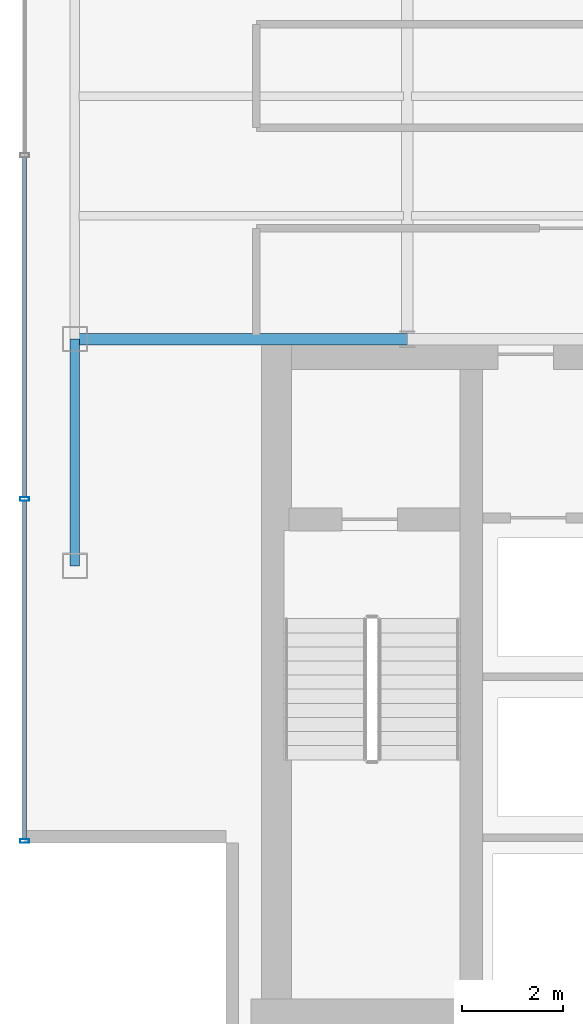
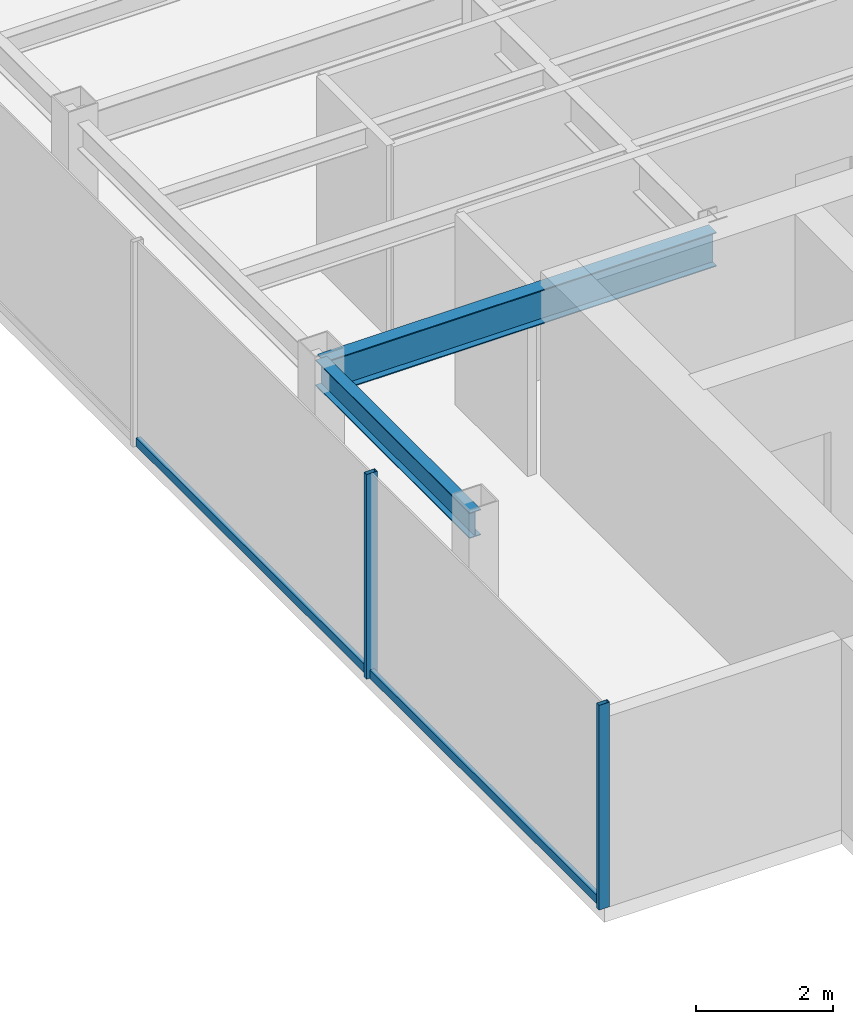
# One storey, part 3 of 22: 4 members, 2 beams, 1 element without a shape of its own.
"""IFC4 building model written with IfcOpenShell, lengths in metres."""

from ifc_helpers import new_model, si_unit, derived_unit, direction, frame, origin, origin_2d, place, context, subcontext, project, spatial, hollow_rectangle, i_section, extrude, source, transform, mapped, material, material_profile, profile_set, type_object, element, aggregate, save


model = new_model("IFC4")

# Units and contexts
model_context = context("Model", 3, precision=1e-05, world=origin(), true_north=direction((0.0, 1.0)))
body_context = subcontext(model_context, "Body", "Model", "MODEL_VIEW")
ifc_project = project(units=[si_unit("LENGTHUNIT", "METRE"), si_unit("AREAUNIT", "SQUARE_METRE"), si_unit("VOLUMEUNIT", "CUBIC_METRE"), si_unit("PLANEANGLEUNIT", "RADIAN"), si_unit("MASSUNIT", "GRAM", prefix="KILO"), derived_unit("THERMALTRANSMITTANCEUNIT", [(si_unit("POWERUNIT", "WATT"), 1), (si_unit("LENGTHUNIT", "METRE"), -2), (si_unit("THERMODYNAMICTEMPERATUREUNIT", "KELVIN"), -1)])], contexts=[model_context])

# Site, building, storey
site_placement = place(None, origin())
site = spatial("IfcSite", under=ifc_project, at=site_placement, CompositionType="ELEMENT")
building_placement = place(site_placement, origin())
building = spatial("IfcBuilding", under=site, at=building_placement, Name="Skarnbrae Concourse Arena and Tower", CompositionType="ELEMENT")
storey_placement = place(building_placement, frame((0.0, 0.0, 228.75)))
storey = spatial("IfcBuildingStorey", under=building, at=storey_placement, Name="L59", CompositionType="ELEMENT", Elevation=228.75)

# Beams
ifc_material_1 = material(Name="Steel CSA G40.21 350W", Category="steel")
ifc_material_profile_1 = material_profile(ifc_material_1, i_section(OverallWidth=0.22802734375, OverallDepth=0.60791015625, WebThickness=0.01123046875, FlangeThickness=0.017333984375, at=origin_2d()), Name="W610X113")
ifc_profile_set_1 = profile_set([ifc_material_profile_1], Name="Steel CSA G40.21 350W")
beam_type_1 = type_object("IfcBeamType", Name="BM-GIRD-W610X113", PredefinedType="BEAM", material=ifc_profile_set_1)
shared_shape_1 = source(origin(), body_context, "Body", "SweptSolid", [
    extrude(i_section(OverallWidth=0.22802734375, OverallDepth=0.60791015625, WebThickness=0.01123046875, FlangeThickness=0.017333984375, at=origin_2d()), origin(), (0.0, 0.0, 1.0), 6.60009765625),
])
beam_1_placement = place(storey_placement, frame((1.0, 14.0, 3.095947265625), z_axis=(1.0, 0.0, 0.0), x_axis=(0.0, 1.0, 0.0)))
element("IfcBeam", 1, at=beam_1_placement, inside=storey, type_object=beam_type_1, Name="L59 Primary E-W girder Y14.0-1", PredefinedType="BEAM", context=body_context, shape_type="MappedRepresentation", body=[
    mapped(shared_shape_1, transform((0.0, 0.0, 0.0))),
])
ifc_material_profile_2 = material_profile(ifc_material_1, i_section(OverallWidth=0.19091796875, OverallDepth=0.4599609375, WebThickness=0.010009765625, FlangeThickness=0.01611328125, at=origin_2d()), Name="W460X82")
ifc_profile_set_2 = profile_set([ifc_material_profile_2], Name="Steel CSA G40.21 350W")
beam_type_2 = type_object("IfcBeamType", Name="BM-SPAN-W460X82", PredefinedType="SPANDREL", material=ifc_profile_set_2)
shared_shape_2 = source(origin(), body_context, "Body", "SweptSolid", [
    extrude(i_section(OverallWidth=0.19091796875, OverallDepth=0.4599609375, WebThickness=0.010009765625, FlangeThickness=0.01611328125, at=origin_2d()), origin(), (0.0, 0.0, 1.0), 4.5),
])
beam_2_placement = place(storey_placement, frame((1.0, 9.5, 3.169921875), z_axis=(0.0, 1.0, 0.0), x_axis=(-1.0, 0.0, 0.0)))
element("IfcBeam", 2, at=beam_2_placement, inside=storey, type_object=beam_type_2, Name="L59 Perimeter spandrel X1.0-1", PredefinedType="SPANDREL", context=body_context, shape_type="MappedRepresentation", body=[
    mapped(shared_shape_2, transform((0.0, 0.0, 0.0))),
])

# Curtain wall, members
ifc_material_2 = material(Name="Bronze anodised aluminium 6063-T6", Category="aluminium")
curtain_wall_type = type_object("IfcCurtainWallType", Name="CW-SYS-05-HIGHZONE", PredefinedType="USERDEFINED", material=ifc_material_2)
curtain_wall_placement = place(storey_placement, origin())
curtain_wall = element("IfcCurtainWall", 3, at=curtain_wall_placement, inside=storey, type_object=curtain_wall_type, Name="L59 Unitised curtain wall CW-L59-E18", ObjectType="UNITISED CURTAIN WALL", PredefinedType="USERDEFINED")
ifc_material_profile_3 = material_profile(ifc_material_2, hollow_rectangle(XDim=0.074951171875, YDim=0.179931640625, WallThickness=0.00390625, at=origin_2d()), Name="ALU-MULL-75X180")
ifc_profile_set_3 = profile_set([ifc_material_profile_3], Name="Bronze anodised aluminium 6063-T6")
member_type_1 = type_object("IfcMemberType", Name="CWM-CW-05", PredefinedType="MULLION", material=ifc_profile_set_3)
shared_shape_3 = source(origin(), body_context, "Body", "SweptSolid", [
    extrude(hollow_rectangle(XDim=0.074951171875, YDim=0.179931640625, WallThickness=0.00390625, at=origin_2d()), origin(), (0.0, 0.0, 1.0), 3.64990234375),
])
member_1_placement = place(storey_placement, frame((0.0, 10.824951171875, 0.0), z_axis=(0.0, 0.0, 1.0), x_axis=(0.0, -1.0, 0.0)))
member_1 = element("IfcMember", 4, at=member_1_placement, type_object=member_type_1, Name="CW-L59-E18 Mullion 4", PredefinedType="MULLION", context=body_context, shape_type="MappedRepresentation", body=[
    mapped(shared_shape_3, transform((0.0, 0.0, 0.0))),
])
member_2_placement = place(storey_placement, frame((0.0, 4.03759765625, 0.0), z_axis=(0.0, 0.0, 1.0), x_axis=(0.0, -1.0, 0.0)))
member_2 = element("IfcMember", 5, at=member_2_placement, type_object=member_type_1, Name="CW-L59-E18 Mullion 5", PredefinedType="MULLION", context=body_context, shape_type="MappedRepresentation", body=[
    mapped(shared_shape_3, transform((0.0, 0.0, 0.0))),
])
ifc_material_profile_4 = material_profile(ifc_material_2, hollow_rectangle(XDim=0.074951171875, YDim=0.14990234375, WallThickness=0.00390625, at=origin_2d()), Name="ALU-TRAN-75X150")
ifc_profile_set_4 = profile_set([ifc_material_profile_4], Name="Bronze anodised aluminium 6063-T6")
member_type_2 = type_object("IfcMemberType", Name="CWT-CW-05", PredefinedType="USERDEFINED", material=ifc_profile_set_4)
shared_shape_4 = source(origin(), body_context, "Body", "SweptSolid", [
    extrude(hollow_rectangle(XDim=0.074951171875, YDim=0.14990234375, WallThickness=0.00390625, at=origin_2d()), origin(), (0.0, 0.0, 1.0), 6.712646484375),
])
member_3_placement = place(storey_placement, frame((0.0, 10.78759765625, 0.074951171875), z_axis=(0.0, -1.0, 0.0), x_axis=(1.0, 0.0, 0.0)))
member_3 = element("IfcMember", 6, at=member_3_placement, type_object=member_type_2, Name="CW-L59-E18 Transom 4", ObjectType="TRANSOM", PredefinedType="USERDEFINED", context=body_context, shape_type="MappedRepresentation", body=[
    mapped(shared_shape_4, transform((0.0, 0.0, 0.0))),
])
shared_shape_5 = source(origin(), body_context, "Body", "SweptSolid", [
    extrude(hollow_rectangle(XDim=0.074951171875, YDim=0.14990234375, WallThickness=0.00390625, at=origin_2d()), origin(), (0.0, 0.0, 1.0), 6.75),
])
member_4_placement = place(storey_placement, frame((0.0, 17.612548828125, 0.074951171875), z_axis=(0.0, -1.0, 0.0), x_axis=(1.0, 0.0, 0.0)))
member_4 = element("IfcMember", 7, at=member_4_placement, type_object=member_type_2, Name="CW-L59-E18 Transom 3", ObjectType="TRANSOM", PredefinedType="USERDEFINED", context=body_context, shape_type="MappedRepresentation", body=[
    mapped(shared_shape_5, transform((0.0, 0.0, 0.0))),
])
aggregate(curtain_wall, [member_1, member_2, member_4, member_3])

save(model, "model.ifc")
